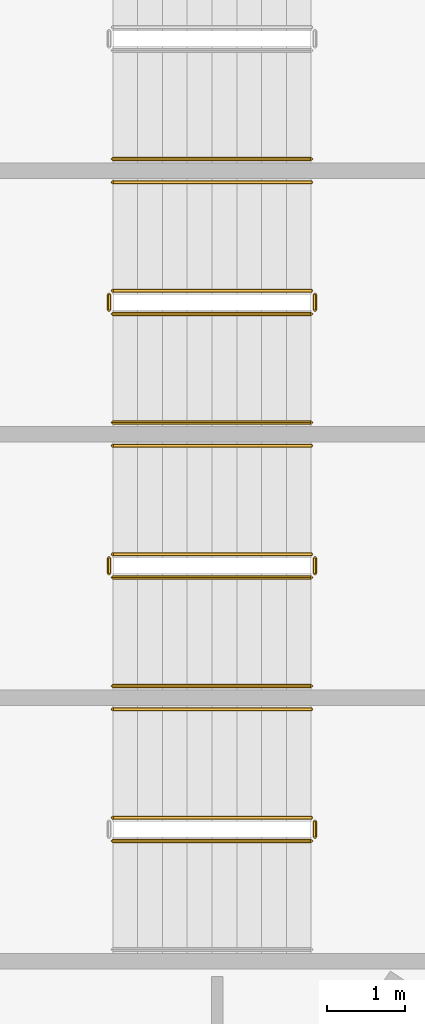
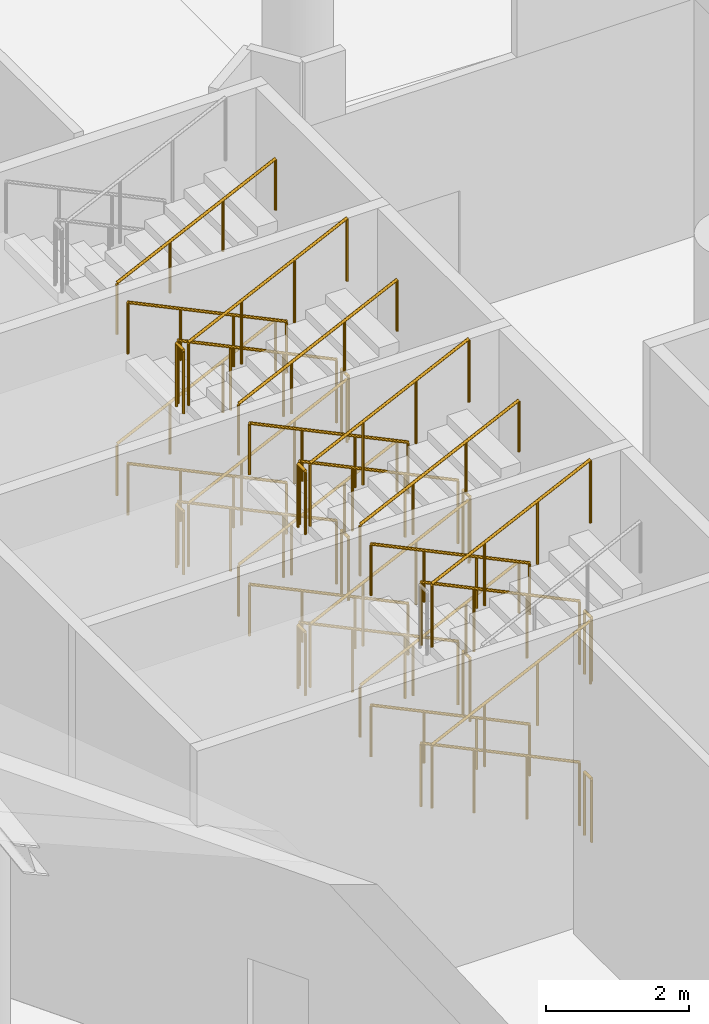
# One storey, part 235 of 271: 34 railings.
"""IFC4 building model written with IfcOpenShell, lengths in metres."""

from ifc_helpers import new_model, si_unit, direction, frame, origin, origin_2d, place, context, subcontext, project, spatial, circle, extrude, material, type_object, element, save


model = new_model("IFC4")

# Units and contexts
model_context = context("Model", 3, precision=1e-05, world=origin(), true_north=direction((0.0, 1.0)))
body_context = subcontext(model_context, "Body", "Model", "MODEL_VIEW")
ifc_project = project(units=[si_unit("LENGTHUNIT", "METRE"), si_unit("AREAUNIT", "SQUARE_METRE"), si_unit("VOLUMEUNIT", "CUBIC_METRE"), si_unit("PLANEANGLEUNIT", "RADIAN"), si_unit("MASSUNIT", "GRAM", prefix="KILO")], contexts=[model_context])

# Site, building, storey
site_placement = place(None, origin())
site = spatial("IfcSite", under=ifc_project, at=site_placement, CompositionType="ELEMENT")
building_placement = place(site_placement, origin())
building = spatial("IfcBuilding", under=site, at=building_placement, Name="Meseta Stadium", CompositionType="ELEMENT")
storey_placement = place(building_placement, frame((0.0, 0.0, 6.5)))
storey = spatial("IfcBuildingStorey", under=building, at=storey_placement, Name="L01", CompositionType="ELEMENT", Elevation=6.5)

# Railings
ifc_material_1 = material(Name="Steel S355", Category="steel")
railing_type_1 = type_object("IfcRailingType", Name="Stair guard 1100", PredefinedType="GUARDRAIL", material=ifc_material_1)
railing_1_placement = place(storey_placement, frame((-90.300048828125, 8.10009765625, 0.15283203125)))
element("IfcRailing", 1, at=railing_1_placement, inside=storey, type_object=railing_type_1, Name="ST66 L01 guard 1", PredefinedType="GUARDRAIL", context=body_context, shape_type="SweptSolid", body=[
    extrude(circle(Radius=0.02392578125, at=origin_2d()), frame((0.0, 0.0, 1.076171875), z_axis=(-0.902436934422, 0.0, 0.430821981091), x_axis=(0.0, -1.0, 0.0)), (0.0, 0.0, 1.0), 2.8369140625),
    extrude(circle(Radius=0.02099609375, at=origin_2d()), origin(), (0.0, 0.0, 1.0), 1.052001953125),
    extrude(circle(Radius=0.02099609375, at=origin_2d()), frame((-0.853271484375, 0.0, 0.407470703125)), (0.0, 0.0, 1.0), 1.052001953125),
    extrude(circle(Radius=0.02099609375, at=origin_2d()), frame((-1.706787109375, 0.0, 0.814697265625)), (0.0, 0.0, 1.0), 1.052001953125),
    extrude(circle(Radius=0.02099609375, at=origin_2d()), frame((-2.56005859375, 0.0, 1.22216796875)), (0.0, 0.0, 1.0), 1.052001953125),
])
railing_2_placement = place(storey_placement, frame((-92.909912109375, 8.050048828125, 1.375)))
element("IfcRailing", 2, at=railing_2_placement, inside=storey, type_object=railing_type_1, Name="ST66 L01 guard 2", PredefinedType="GUARDRAIL", context=body_context, shape_type="SweptSolid", body=[
    extrude(circle(Radius=0.02392578125, at=origin_2d()), frame((0.0, 0.0, 1.076171875), z_axis=(0.0, -1.0, 0.0), x_axis=(1.0, 0.0, 0.0)), (0.0, 0.0, 1.0), 0.199951171875),
    extrude(circle(Radius=0.02099609375, at=origin_2d()), origin(), (0.0, 0.0, 1.0), 1.052001953125),
    extrude(circle(Radius=0.02099609375, at=origin_2d()), frame((0.0, -0.199951171875, 0.0)), (0.0, 0.0, 1.0), 1.052001953125),
])
railing_3_placement = place(storey_placement, frame((-92.860107421875, 7.800048828125, 1.52783203125)))
element("IfcRailing", 3, at=railing_3_placement, inside=storey, type_object=railing_type_1, Name="ST66 L01 guard 3", PredefinedType="GUARDRAIL", context=body_context, shape_type="SweptSolid", body=[
    extrude(circle(Radius=0.02392578125, at=origin_2d()), frame((0.0, 0.0, 1.076171875), z_axis=(0.902436934422, 0.0, 0.430821981091), x_axis=(0.0, 1.0, 0.0)), (0.0, 0.0, 1.0), 2.8369140625),
    extrude(circle(Radius=0.02099609375, at=origin_2d()), origin(), (0.0, 0.0, 1.0), 1.052001953125),
    extrude(circle(Radius=0.02099609375, at=origin_2d()), frame((0.853271484375, 0.0, 0.407470703125)), (0.0, 0.0, 1.0), 1.052001953125),
    extrude(circle(Radius=0.02099609375, at=origin_2d()), frame((1.706787109375, 0.0, 0.814697265625)), (0.0, 0.0, 1.0), 1.052001953125),
    extrude(circle(Radius=0.02099609375, at=origin_2d()), frame((2.56005859375, 0.0, 1.22216796875)), (0.0, 0.0, 1.0), 1.052001953125),
])
railing_4_placement = place(storey_placement, frame((-90.25, 8.050048828125, 2.75)))
element("IfcRailing", 4, at=railing_4_placement, inside=storey, type_object=railing_type_1, Name="ST66 L01 guard 4", PredefinedType="GUARDRAIL", context=body_context, shape_type="SweptSolid", body=[
    extrude(circle(Radius=0.02392578125, at=origin_2d()), frame((0.0, 0.0, 1.076171875), z_axis=(0.0, -1.0, 0.0), x_axis=(1.0, 0.0, 0.0)), (0.0, 0.0, 1.0), 0.199951171875),
    extrude(circle(Radius=0.02099609375, at=origin_2d()), origin(), (0.0, 0.0, 1.0), 1.052001953125),
    extrude(circle(Radius=0.02099609375, at=origin_2d()), frame((0.0, -0.199951171875, 0.0)), (0.0, 0.0, 1.0), 1.052001953125),
])
railing_5_placement = place(storey_placement, frame((-90.300048828125, 8.10009765625, 2.90283203125)))
element("IfcRailing", 5, at=railing_5_placement, inside=storey, type_object=railing_type_1, Name="ST66 L01 guard 5", PredefinedType="GUARDRAIL", context=body_context, shape_type="SweptSolid", body=[
    extrude(circle(Radius=0.02392578125, at=origin_2d()), frame((0.0, 0.0, 1.076171875), z_axis=(-0.902436934422, 0.0, 0.430821981091), x_axis=(0.0, -1.0, 0.0)), (0.0, 0.0, 1.0), 2.8369140625),
    extrude(circle(Radius=0.02099609375, at=origin_2d()), origin(), (0.0, 0.0, 1.0), 1.052001953125),
    extrude(circle(Radius=0.02099609375, at=origin_2d()), frame((-0.853271484375, 0.0, 0.407470703125)), (0.0, 0.0, 1.0), 1.052001953125),
    extrude(circle(Radius=0.02099609375, at=origin_2d()), frame((-1.706787109375, 0.0, 0.814697265625)), (0.0, 0.0, 1.0), 1.052001953125),
    extrude(circle(Radius=0.02099609375, at=origin_2d()), frame((-2.56005859375, 0.0, 1.22216796875)), (0.0, 0.0, 1.0), 1.052001953125),
])
railing_6_placement = place(storey_placement, frame((-92.909912109375, 8.050048828125, 4.125)))
element("IfcRailing", 6, at=railing_6_placement, inside=storey, type_object=railing_type_1, Name="ST66 L01 guard 6", PredefinedType="GUARDRAIL", context=body_context, shape_type="SweptSolid", body=[
    extrude(circle(Radius=0.02392578125, at=origin_2d()), frame((0.0, 0.0, 1.076171875), z_axis=(0.0, -1.0, 0.0), x_axis=(1.0, 0.0, 0.0)), (0.0, 0.0, 1.0), 0.199951171875),
    extrude(circle(Radius=0.02099609375, at=origin_2d()), origin(), (0.0, 0.0, 1.0), 1.052001953125),
    extrude(circle(Radius=0.02099609375, at=origin_2d()), frame((0.0, -0.199951171875, 0.0)), (0.0, 0.0, 1.0), 1.052001953125),
])
railing_7_placement = place(storey_placement, frame((-92.860107421875, 7.800048828125, 4.27783203125)))
element("IfcRailing", 7, at=railing_7_placement, inside=storey, type_object=railing_type_1, Name="ST66 L01 guard 7", PredefinedType="GUARDRAIL", context=body_context, shape_type="SweptSolid", body=[
    extrude(circle(Radius=0.02392578125, at=origin_2d()), frame((0.0, 0.0, 1.076171875), z_axis=(0.902436934422, 0.0, 0.430821981091), x_axis=(0.0, 1.0, 0.0)), (0.0, 0.0, 1.0), 2.8369140625),
    extrude(circle(Radius=0.02099609375, at=origin_2d()), origin(), (0.0, 0.0, 1.0), 1.052001953125),
    extrude(circle(Radius=0.02099609375, at=origin_2d()), frame((0.853271484375, 0.0, 0.407470703125)), (0.0, 0.0, 1.0), 1.052001953125),
    extrude(circle(Radius=0.02099609375, at=origin_2d()), frame((1.706787109375, 0.0, 0.814697265625)), (0.0, 0.0, 1.0), 1.052001953125),
    extrude(circle(Radius=0.02099609375, at=origin_2d()), frame((2.56005859375, 0.0, 1.22216796875)), (0.0, 0.0, 1.0), 1.052001953125),
])
railing_8_placement = place(storey_placement, frame((-90.25, 8.050048828125, 0.0)))
element("IfcRailing", 8, at=railing_8_placement, inside=storey, type_object=railing_type_1, Name="ST66 L01 guard 8", PredefinedType="GUARDRAIL", context=body_context, shape_type="SweptSolid", body=[
    extrude(circle(Radius=0.02392578125, at=origin_2d()), frame((0.0, 0.0, 1.076171875), z_axis=(0.0, -1.0, 0.0), x_axis=(1.0, 0.0, 0.0)), (0.0, 0.0, 1.0), 0.199951171875),
    extrude(circle(Radius=0.02099609375, at=origin_2d()), origin(), (0.0, 0.0, 1.0), 1.052001953125),
    extrude(circle(Radius=0.02099609375, at=origin_2d()), frame((0.0, -0.199951171875, 0.0)), (0.0, 0.0, 1.0), 1.052001953125),
])
railing_9_placement = place(storey_placement, frame((-90.300048828125, 4.699951171875, 0.15283203125)))
element("IfcRailing", 9, at=railing_9_placement, inside=storey, type_object=railing_type_1, Name="ST67 L01 guard 1", PredefinedType="GUARDRAIL", context=body_context, shape_type="SweptSolid", body=[
    extrude(circle(Radius=0.02392578125, at=origin_2d()), frame((0.0, 0.0, 1.076171875), z_axis=(-0.902436934422, 0.0, 0.430821981091), x_axis=(0.0, -1.0, 0.0)), (0.0, 0.0, 1.0), 2.8369140625),
    extrude(circle(Radius=0.02099609375, at=origin_2d()), origin(), (0.0, 0.0, 1.0), 1.052001953125),
    extrude(circle(Radius=0.02099609375, at=origin_2d()), frame((-0.853271484375, 0.0, 0.407470703125)), (0.0, 0.0, 1.0), 1.052001953125),
    extrude(circle(Radius=0.02099609375, at=origin_2d()), frame((-1.706787109375, 0.0, 0.814697265625)), (0.0, 0.0, 1.0), 1.052001953125),
    extrude(circle(Radius=0.02099609375, at=origin_2d()), frame((-2.56005859375, 0.0, 1.22216796875)), (0.0, 0.0, 1.0), 1.052001953125),
])
railing_10_placement = place(storey_placement, frame((-92.909912109375, 4.64990234375, 1.375)))
element("IfcRailing", 10, at=railing_10_placement, inside=storey, type_object=railing_type_1, Name="ST67 L01 guard 2", PredefinedType="GUARDRAIL", context=body_context, shape_type="SweptSolid", body=[
    extrude(circle(Radius=0.02392578125, at=origin_2d()), frame((0.0, 0.0, 1.076171875), z_axis=(0.0, -1.0, 0.0), x_axis=(1.0, 0.0, 0.0)), (0.0, 0.0, 1.0), 0.199951171875),
    extrude(circle(Radius=0.02099609375, at=origin_2d()), origin(), (0.0, 0.0, 1.0), 1.052001953125),
    extrude(circle(Radius=0.02099609375, at=origin_2d()), frame((0.0, -0.199951171875, 0.0)), (0.0, 0.0, 1.0), 1.052001953125),
])
railing_11_placement = place(storey_placement, frame((-92.860107421875, 4.39990234375, 1.52783203125)))
element("IfcRailing", 11, at=railing_11_placement, inside=storey, type_object=railing_type_1, Name="ST67 L01 guard 3", PredefinedType="GUARDRAIL", context=body_context, shape_type="SweptSolid", body=[
    extrude(circle(Radius=0.02392578125, at=origin_2d()), frame((0.0, 0.0, 1.076171875), z_axis=(0.902436934422, 0.0, 0.430821981091), x_axis=(0.0, 1.0, 0.0)), (0.0, 0.0, 1.0), 2.8369140625),
    extrude(circle(Radius=0.02099609375, at=origin_2d()), origin(), (0.0, 0.0, 1.0), 1.052001953125),
    extrude(circle(Radius=0.02099609375, at=origin_2d()), frame((0.853271484375, 0.0, 0.407470703125)), (0.0, 0.0, 1.0), 1.052001953125),
    extrude(circle(Radius=0.02099609375, at=origin_2d()), frame((1.706787109375, 0.0, 0.814697265625)), (0.0, 0.0, 1.0), 1.052001953125),
    extrude(circle(Radius=0.02099609375, at=origin_2d()), frame((2.56005859375, 0.0, 1.22216796875)), (0.0, 0.0, 1.0), 1.052001953125),
])
railing_12_placement = place(storey_placement, frame((-90.25, 4.64990234375, 2.75)))
element("IfcRailing", 12, at=railing_12_placement, inside=storey, type_object=railing_type_1, Name="ST67 L01 guard 4", PredefinedType="GUARDRAIL", context=body_context, shape_type="SweptSolid", body=[
    extrude(circle(Radius=0.02392578125, at=origin_2d()), frame((0.0, 0.0, 1.076171875), z_axis=(0.0, -1.0, 0.0), x_axis=(1.0, 0.0, 0.0)), (0.0, 0.0, 1.0), 0.199951171875),
    extrude(circle(Radius=0.02099609375, at=origin_2d()), origin(), (0.0, 0.0, 1.0), 1.052001953125),
    extrude(circle(Radius=0.02099609375, at=origin_2d()), frame((0.0, -0.199951171875, 0.0)), (0.0, 0.0, 1.0), 1.052001953125),
])
railing_13_placement = place(storey_placement, frame((-90.300048828125, 4.699951171875, 2.90283203125)))
element("IfcRailing", 13, at=railing_13_placement, inside=storey, type_object=railing_type_1, Name="ST67 L01 guard 5", PredefinedType="GUARDRAIL", context=body_context, shape_type="SweptSolid", body=[
    extrude(circle(Radius=0.02392578125, at=origin_2d()), frame((0.0, 0.0, 1.076171875), z_axis=(-0.902436934422, 0.0, 0.430821981091), x_axis=(0.0, -1.0, 0.0)), (0.0, 0.0, 1.0), 2.8369140625),
    extrude(circle(Radius=0.02099609375, at=origin_2d()), origin(), (0.0, 0.0, 1.0), 1.052001953125),
    extrude(circle(Radius=0.02099609375, at=origin_2d()), frame((-0.853271484375, 0.0, 0.407470703125)), (0.0, 0.0, 1.0), 1.052001953125),
    extrude(circle(Radius=0.02099609375, at=origin_2d()), frame((-1.706787109375, 0.0, 0.814697265625)), (0.0, 0.0, 1.0), 1.052001953125),
    extrude(circle(Radius=0.02099609375, at=origin_2d()), frame((-2.56005859375, 0.0, 1.22216796875)), (0.0, 0.0, 1.0), 1.052001953125),
])
railing_14_placement = place(storey_placement, frame((-92.909912109375, 4.64990234375, 4.125)))
element("IfcRailing", 14, at=railing_14_placement, inside=storey, type_object=railing_type_1, Name="ST67 L01 guard 6", PredefinedType="GUARDRAIL", context=body_context, shape_type="SweptSolid", body=[
    extrude(circle(Radius=0.02392578125, at=origin_2d()), frame((0.0, 0.0, 1.076171875), z_axis=(0.0, -1.0, 0.0), x_axis=(1.0, 0.0, 0.0)), (0.0, 0.0, 1.0), 0.199951171875),
    extrude(circle(Radius=0.02099609375, at=origin_2d()), origin(), (0.0, 0.0, 1.0), 1.052001953125),
    extrude(circle(Radius=0.02099609375, at=origin_2d()), frame((0.0, -0.199951171875, 0.0)), (0.0, 0.0, 1.0), 1.052001953125),
])
railing_15_placement = place(storey_placement, frame((-92.860107421875, 4.39990234375, 4.27783203125)))
element("IfcRailing", 15, at=railing_15_placement, inside=storey, type_object=railing_type_1, Name="ST67 L01 guard 7", PredefinedType="GUARDRAIL", context=body_context, shape_type="SweptSolid", body=[
    extrude(circle(Radius=0.02392578125, at=origin_2d()), frame((0.0, 0.0, 1.076171875), z_axis=(0.902436934422, 0.0, 0.430821981091), x_axis=(0.0, 1.0, 0.0)), (0.0, 0.0, 1.0), 2.8369140625),
    extrude(circle(Radius=0.02099609375, at=origin_2d()), origin(), (0.0, 0.0, 1.0), 1.052001953125),
    extrude(circle(Radius=0.02099609375, at=origin_2d()), frame((0.853271484375, 0.0, 0.407470703125)), (0.0, 0.0, 1.0), 1.052001953125),
    extrude(circle(Radius=0.02099609375, at=origin_2d()), frame((1.706787109375, 0.0, 0.814697265625)), (0.0, 0.0, 1.0), 1.052001953125),
    extrude(circle(Radius=0.02099609375, at=origin_2d()), frame((2.56005859375, 0.0, 1.22216796875)), (0.0, 0.0, 1.0), 1.052001953125),
])
railing_16_placement = place(storey_placement, frame((-90.25, 4.64990234375, 0.0)))
element("IfcRailing", 16, at=railing_16_placement, inside=storey, type_object=railing_type_1, Name="ST67 L01 guard 8", PredefinedType="GUARDRAIL", context=body_context, shape_type="SweptSolid", body=[
    extrude(circle(Radius=0.02392578125, at=origin_2d()), frame((0.0, 0.0, 1.076171875), z_axis=(0.0, -1.0, 0.0), x_axis=(1.0, 0.0, 0.0)), (0.0, 0.0, 1.0), 0.199951171875),
    extrude(circle(Radius=0.02099609375, at=origin_2d()), origin(), (0.0, 0.0, 1.0), 1.052001953125),
    extrude(circle(Radius=0.02099609375, at=origin_2d()), frame((0.0, -0.199951171875, 0.0)), (0.0, 0.0, 1.0), 1.052001953125),
])
railing_17_placement = place(storey_placement, frame((-90.300048828125, 1.300048828125, 0.15283203125)))
element("IfcRailing", 17, at=railing_17_placement, inside=storey, type_object=railing_type_1, Name="ST68 L01 guard 1", PredefinedType="GUARDRAIL", context=body_context, shape_type="SweptSolid", body=[
    extrude(circle(Radius=0.02392578125, at=origin_2d()), frame((0.0, 0.0, 1.076171875), z_axis=(-0.902436934422, 0.0, 0.430821981091), x_axis=(0.0, -1.0, 0.0)), (0.0, 0.0, 1.0), 2.8369140625),
    extrude(circle(Radius=0.02099609375, at=origin_2d()), origin(), (0.0, 0.0, 1.0), 1.052001953125),
    extrude(circle(Radius=0.02099609375, at=origin_2d()), frame((-0.853271484375, 0.0, 0.407470703125)), (0.0, 0.0, 1.0), 1.052001953125),
    extrude(circle(Radius=0.02099609375, at=origin_2d()), frame((-1.706787109375, 0.0, 0.814697265625)), (0.0, 0.0, 1.0), 1.052001953125),
    extrude(circle(Radius=0.02099609375, at=origin_2d()), frame((-2.56005859375, 0.0, 1.22216796875)), (0.0, 0.0, 1.0), 1.052001953125),
])
railing_18_placement = place(storey_placement, frame((-92.860107421875, 1.0, 1.52783203125)))
element("IfcRailing", 18, at=railing_18_placement, inside=storey, type_object=railing_type_1, Name="ST68 L01 guard 3", PredefinedType="GUARDRAIL", context=body_context, shape_type="SweptSolid", body=[
    extrude(circle(Radius=0.02392578125, at=origin_2d()), frame((0.0, 0.0, 1.076171875), z_axis=(0.902436934422, 0.0, 0.430821981091), x_axis=(0.0, 1.0, 0.0)), (0.0, 0.0, 1.0), 2.8369140625),
    extrude(circle(Radius=0.02099609375, at=origin_2d()), origin(), (0.0, 0.0, 1.0), 1.052001953125),
    extrude(circle(Radius=0.02099609375, at=origin_2d()), frame((0.853271484375, 0.0, 0.407470703125)), (0.0, 0.0, 1.0), 1.052001953125),
    extrude(circle(Radius=0.02099609375, at=origin_2d()), frame((1.706787109375, 0.0, 0.814697265625)), (0.0, 0.0, 1.0), 1.052001953125),
    extrude(circle(Radius=0.02099609375, at=origin_2d()), frame((2.56005859375, 0.0, 1.22216796875)), (0.0, 0.0, 1.0), 1.052001953125),
])
railing_19_placement = place(storey_placement, frame((-90.25, 1.25, 2.75)))
element("IfcRailing", 19, at=railing_19_placement, inside=storey, type_object=railing_type_1, Name="ST68 L01 guard 4", PredefinedType="GUARDRAIL", context=body_context, shape_type="SweptSolid", body=[
    extrude(circle(Radius=0.02392578125, at=origin_2d()), frame((0.0, 0.0, 1.076171875), z_axis=(0.0, -1.0, 0.0), x_axis=(1.0, 0.0, 0.0)), (0.0, 0.0, 1.0), 0.199951171875),
    extrude(circle(Radius=0.02099609375, at=origin_2d()), origin(), (0.0, 0.0, 1.0), 1.052001953125),
    extrude(circle(Radius=0.02099609375, at=origin_2d()), frame((0.0, -0.199951171875, 0.0)), (0.0, 0.0, 1.0), 1.052001953125),
])
railing_20_placement = place(storey_placement, frame((-90.300048828125, 1.300048828125, 2.90283203125)))
element("IfcRailing", 20, at=railing_20_placement, inside=storey, type_object=railing_type_1, Name="ST68 L01 guard 5", PredefinedType="GUARDRAIL", context=body_context, shape_type="SweptSolid", body=[
    extrude(circle(Radius=0.02392578125, at=origin_2d()), frame((0.0, 0.0, 1.076171875), z_axis=(-0.902436934422, 0.0, 0.430821981091), x_axis=(0.0, -1.0, 0.0)), (0.0, 0.0, 1.0), 2.8369140625),
    extrude(circle(Radius=0.02099609375, at=origin_2d()), origin(), (0.0, 0.0, 1.0), 1.052001953125),
    extrude(circle(Radius=0.02099609375, at=origin_2d()), frame((-0.853271484375, 0.0, 0.407470703125)), (0.0, 0.0, 1.0), 1.052001953125),
    extrude(circle(Radius=0.02099609375, at=origin_2d()), frame((-1.706787109375, 0.0, 0.814697265625)), (0.0, 0.0, 1.0), 1.052001953125),
    extrude(circle(Radius=0.02099609375, at=origin_2d()), frame((-2.56005859375, 0.0, 1.22216796875)), (0.0, 0.0, 1.0), 1.052001953125),
])
railing_21_placement = place(storey_placement, frame((-92.860107421875, 1.0, 4.27783203125)))
element("IfcRailing", 21, at=railing_21_placement, inside=storey, type_object=railing_type_1, Name="ST68 L01 guard 7", PredefinedType="GUARDRAIL", context=body_context, shape_type="SweptSolid", body=[
    extrude(circle(Radius=0.02392578125, at=origin_2d()), frame((0.0, 0.0, 1.076171875), z_axis=(0.902436934422, 0.0, 0.430821981091), x_axis=(0.0, 1.0, 0.0)), (0.0, 0.0, 1.0), 2.8369140625),
    extrude(circle(Radius=0.02099609375, at=origin_2d()), origin(), (0.0, 0.0, 1.0), 1.052001953125),
    extrude(circle(Radius=0.02099609375, at=origin_2d()), frame((0.853271484375, 0.0, 0.407470703125)), (0.0, 0.0, 1.0), 1.052001953125),
    extrude(circle(Radius=0.02099609375, at=origin_2d()), frame((1.706787109375, 0.0, 0.814697265625)), (0.0, 0.0, 1.0), 1.052001953125),
    extrude(circle(Radius=0.02099609375, at=origin_2d()), frame((2.56005859375, 0.0, 1.22216796875)), (0.0, 0.0, 1.0), 1.052001953125),
])
railing_22_placement = place(storey_placement, frame((-90.25, 1.25, 0.0)))
element("IfcRailing", 22, at=railing_22_placement, inside=storey, type_object=railing_type_1, Name="ST68 L01 guard 8", PredefinedType="GUARDRAIL", context=body_context, shape_type="SweptSolid", body=[
    extrude(circle(Radius=0.02392578125, at=origin_2d()), frame((0.0, 0.0, 1.076171875), z_axis=(0.0, -1.0, 0.0), x_axis=(1.0, 0.0, 0.0)), (0.0, 0.0, 1.0), 0.199951171875),
    extrude(circle(Radius=0.02099609375, at=origin_2d()), origin(), (0.0, 0.0, 1.0), 1.052001953125),
    extrude(circle(Radius=0.02099609375, at=origin_2d()), frame((0.0, -0.199951171875, 0.0)), (0.0, 0.0, 1.0), 1.052001953125),
])
ifc_material_2 = material(Name="Steel S355", Category="steel")
railing_type_2 = type_object("IfcRailingType", Name="Stair handrail 900", PredefinedType="HANDRAIL", material=ifc_material_2)
for number, where, name in (
    (23, (-92.860107421875, 9.800048828125, 1.52783203125), "ST65 L01 handrail 2"),
    (24, (-92.860107421875, 9.800048828125, 4.27783203125), "ST65 L01 handrail 4"),
):
    element("IfcRailing", number, at=place(storey_placement, frame(where)), inside=storey, type_object=railing_type_2, Name=name, PredefinedType="HANDRAIL", context=body_context, shape_type="SweptSolid", body=[
        extrude(circle(Radius=0.02392578125, at=origin_2d()), frame((0.0, 0.0, 0.8759765625), z_axis=(0.902436934422, 0.0, 0.430821981091), x_axis=(0.0, 1.0, 0.0)), (0.0, 0.0, 1.0), 2.8369140625),
        extrude(circle(Radius=0.02099609375, at=origin_2d()), origin(), (0.0, 0.0, 1.0), 0.851806640625),
        extrude(circle(Radius=0.02099609375, at=origin_2d()), frame((0.853271484375, 0.0, 0.407470703125)), (0.0, 0.0, 1.0), 0.851806640625),
        extrude(circle(Radius=0.02099609375, at=origin_2d()), frame((1.706787109375, 0.0, 0.814697265625)), (0.0, 0.0, 1.0), 0.851806640625),
        extrude(circle(Radius=0.02099609375, at=origin_2d()), frame((2.56005859375, 0.0, 1.22216796875)), (0.0, 0.0, 1.0), 0.851806640625),
    ])
railing_23_placement = place(storey_placement, frame((-90.300048828125, 9.5, 0.15283203125)))
element("IfcRailing", 25, at=railing_23_placement, inside=storey, type_object=railing_type_2, Name="ST66 L01 handrail 1", PredefinedType="HANDRAIL", context=body_context, shape_type="SweptSolid", body=[
    extrude(circle(Radius=0.02392578125, at=origin_2d()), frame((0.0, 0.0, 0.8759765625), z_axis=(-0.902436934422, 0.0, 0.430821981091), x_axis=(0.0, -1.0, 0.0)), (0.0, 0.0, 1.0), 2.8369140625),
    extrude(circle(Radius=0.02099609375, at=origin_2d()), origin(), (0.0, 0.0, 1.0), 0.851806640625),
    extrude(circle(Radius=0.02099609375, at=origin_2d()), frame((-0.853271484375, 0.0, 0.407470703125)), (0.0, 0.0, 1.0), 0.851806640625),
    extrude(circle(Radius=0.02099609375, at=origin_2d()), frame((-1.706787109375, 0.0, 0.814697265625)), (0.0, 0.0, 1.0), 0.851806640625),
    extrude(circle(Radius=0.02099609375, at=origin_2d()), frame((-2.56005859375, 0.0, 1.22216796875)), (0.0, 0.0, 1.0), 0.851806640625),
])
railing_24_placement = place(storey_placement, frame((-92.860107421875, 6.39990234375, 1.52783203125)))
element("IfcRailing", 26, at=railing_24_placement, inside=storey, type_object=railing_type_2, Name="ST66 L01 handrail 2", PredefinedType="HANDRAIL", context=body_context, shape_type="SweptSolid", body=[
    extrude(circle(Radius=0.02392578125, at=origin_2d()), frame((0.0, 0.0, 0.8759765625), z_axis=(0.902436934422, 0.0, 0.430821981091), x_axis=(0.0, 1.0, 0.0)), (0.0, 0.0, 1.0), 2.8369140625),
    extrude(circle(Radius=0.02099609375, at=origin_2d()), origin(), (0.0, 0.0, 1.0), 0.851806640625),
    extrude(circle(Radius=0.02099609375, at=origin_2d()), frame((0.853271484375, 0.0, 0.407470703125)), (0.0, 0.0, 1.0), 0.851806640625),
    extrude(circle(Radius=0.02099609375, at=origin_2d()), frame((1.706787109375, 0.0, 0.814697265625)), (0.0, 0.0, 1.0), 0.851806640625),
    extrude(circle(Radius=0.02099609375, at=origin_2d()), frame((2.56005859375, 0.0, 1.22216796875)), (0.0, 0.0, 1.0), 0.851806640625),
])
railing_25_placement = place(storey_placement, frame((-90.300048828125, 9.5, 2.90283203125)))
element("IfcRailing", 27, at=railing_25_placement, inside=storey, type_object=railing_type_2, Name="ST66 L01 handrail 3", PredefinedType="HANDRAIL", context=body_context, shape_type="SweptSolid", body=[
    extrude(circle(Radius=0.02392578125, at=origin_2d()), frame((0.0, 0.0, 0.8759765625), z_axis=(-0.902436934422, 0.0, 0.430821981091), x_axis=(0.0, -1.0, 0.0)), (0.0, 0.0, 1.0), 2.8369140625),
    extrude(circle(Radius=0.02099609375, at=origin_2d()), origin(), (0.0, 0.0, 1.0), 0.851806640625),
    extrude(circle(Radius=0.02099609375, at=origin_2d()), frame((-0.853271484375, 0.0, 0.407470703125)), (0.0, 0.0, 1.0), 0.851806640625),
    extrude(circle(Radius=0.02099609375, at=origin_2d()), frame((-1.706787109375, 0.0, 0.814697265625)), (0.0, 0.0, 1.0), 0.851806640625),
    extrude(circle(Radius=0.02099609375, at=origin_2d()), frame((-2.56005859375, 0.0, 1.22216796875)), (0.0, 0.0, 1.0), 0.851806640625),
])
railing_26_placement = place(storey_placement, frame((-92.860107421875, 6.39990234375, 4.27783203125)))
element("IfcRailing", 28, at=railing_26_placement, inside=storey, type_object=railing_type_2, Name="ST66 L01 handrail 4", PredefinedType="HANDRAIL", context=body_context, shape_type="SweptSolid", body=[
    extrude(circle(Radius=0.02392578125, at=origin_2d()), frame((0.0, 0.0, 0.8759765625), z_axis=(0.902436934422, 0.0, 0.430821981091), x_axis=(0.0, 1.0, 0.0)), (0.0, 0.0, 1.0), 2.8369140625),
    extrude(circle(Radius=0.02099609375, at=origin_2d()), origin(), (0.0, 0.0, 1.0), 0.851806640625),
    extrude(circle(Radius=0.02099609375, at=origin_2d()), frame((0.853271484375, 0.0, 0.407470703125)), (0.0, 0.0, 1.0), 0.851806640625),
    extrude(circle(Radius=0.02099609375, at=origin_2d()), frame((1.706787109375, 0.0, 0.814697265625)), (0.0, 0.0, 1.0), 0.851806640625),
    extrude(circle(Radius=0.02099609375, at=origin_2d()), frame((2.56005859375, 0.0, 1.22216796875)), (0.0, 0.0, 1.0), 0.851806640625),
])
railing_27_placement = place(storey_placement, frame((-90.300048828125, 6.10009765625, 0.15283203125)))
element("IfcRailing", 29, at=railing_27_placement, inside=storey, type_object=railing_type_2, Name="ST67 L01 handrail 1", PredefinedType="HANDRAIL", context=body_context, shape_type="SweptSolid", body=[
    extrude(circle(Radius=0.02392578125, at=origin_2d()), frame((0.0, 0.0, 0.8759765625), z_axis=(-0.902436934422, 0.0, 0.430821981091), x_axis=(0.0, -1.0, 0.0)), (0.0, 0.0, 1.0), 2.8369140625),
    extrude(circle(Radius=0.02099609375, at=origin_2d()), origin(), (0.0, 0.0, 1.0), 0.851806640625),
    extrude(circle(Radius=0.02099609375, at=origin_2d()), frame((-0.853271484375, 0.0, 0.407470703125)), (0.0, 0.0, 1.0), 0.851806640625),
    extrude(circle(Radius=0.02099609375, at=origin_2d()), frame((-1.706787109375, 0.0, 0.814697265625)), (0.0, 0.0, 1.0), 0.851806640625),
    extrude(circle(Radius=0.02099609375, at=origin_2d()), frame((-2.56005859375, 0.0, 1.22216796875)), (0.0, 0.0, 1.0), 0.851806640625),
])
railing_28_placement = place(storey_placement, frame((-92.860107421875, 3.0, 1.52783203125)))
element("IfcRailing", 30, at=railing_28_placement, inside=storey, type_object=railing_type_2, Name="ST67 L01 handrail 2", PredefinedType="HANDRAIL", context=body_context, shape_type="SweptSolid", body=[
    extrude(circle(Radius=0.02392578125, at=origin_2d()), frame((0.0, 0.0, 0.8759765625), z_axis=(0.902436934422, 0.0, 0.430821981091), x_axis=(0.0, 1.0, 0.0)), (0.0, 0.0, 1.0), 2.8369140625),
    extrude(circle(Radius=0.02099609375, at=origin_2d()), origin(), (0.0, 0.0, 1.0), 0.851806640625),
    extrude(circle(Radius=0.02099609375, at=origin_2d()), frame((0.853271484375, 0.0, 0.407470703125)), (0.0, 0.0, 1.0), 0.851806640625),
    extrude(circle(Radius=0.02099609375, at=origin_2d()), frame((1.706787109375, 0.0, 0.814697265625)), (0.0, 0.0, 1.0), 0.851806640625),
    extrude(circle(Radius=0.02099609375, at=origin_2d()), frame((2.56005859375, 0.0, 1.22216796875)), (0.0, 0.0, 1.0), 0.851806640625),
])
railing_29_placement = place(storey_placement, frame((-90.300048828125, 6.10009765625, 2.90283203125)))
element("IfcRailing", 31, at=railing_29_placement, inside=storey, type_object=railing_type_2, Name="ST67 L01 handrail 3", PredefinedType="HANDRAIL", context=body_context, shape_type="SweptSolid", body=[
    extrude(circle(Radius=0.02392578125, at=origin_2d()), frame((0.0, 0.0, 0.8759765625), z_axis=(-0.902436934422, 0.0, 0.430821981091), x_axis=(0.0, -1.0, 0.0)), (0.0, 0.0, 1.0), 2.8369140625),
    extrude(circle(Radius=0.02099609375, at=origin_2d()), origin(), (0.0, 0.0, 1.0), 0.851806640625),
    extrude(circle(Radius=0.02099609375, at=origin_2d()), frame((-0.853271484375, 0.0, 0.407470703125)), (0.0, 0.0, 1.0), 0.851806640625),
    extrude(circle(Radius=0.02099609375, at=origin_2d()), frame((-1.706787109375, 0.0, 0.814697265625)), (0.0, 0.0, 1.0), 0.851806640625),
    extrude(circle(Radius=0.02099609375, at=origin_2d()), frame((-2.56005859375, 0.0, 1.22216796875)), (0.0, 0.0, 1.0), 0.851806640625),
])
railing_30_placement = place(storey_placement, frame((-92.860107421875, 3.0, 4.27783203125)))
element("IfcRailing", 32, at=railing_30_placement, inside=storey, type_object=railing_type_2, Name="ST67 L01 handrail 4", PredefinedType="HANDRAIL", context=body_context, shape_type="SweptSolid", body=[
    extrude(circle(Radius=0.02392578125, at=origin_2d()), frame((0.0, 0.0, 0.8759765625), z_axis=(0.902436934422, 0.0, 0.430821981091), x_axis=(0.0, 1.0, 0.0)), (0.0, 0.0, 1.0), 2.8369140625),
    extrude(circle(Radius=0.02099609375, at=origin_2d()), origin(), (0.0, 0.0, 1.0), 0.851806640625),
    extrude(circle(Radius=0.02099609375, at=origin_2d()), frame((0.853271484375, 0.0, 0.407470703125)), (0.0, 0.0, 1.0), 0.851806640625),
    extrude(circle(Radius=0.02099609375, at=origin_2d()), frame((1.706787109375, 0.0, 0.814697265625)), (0.0, 0.0, 1.0), 0.851806640625),
    extrude(circle(Radius=0.02099609375, at=origin_2d()), frame((2.56005859375, 0.0, 1.22216796875)), (0.0, 0.0, 1.0), 0.851806640625),
])
for number, where, name in (
    (33, (-90.300048828125, 2.699951171875, 0.15283203125), "ST68 L01 handrail 1"),
    (34, (-90.300048828125, 2.699951171875, 2.90283203125), "ST68 L01 handrail 3"),
):
    element("IfcRailing", number, at=place(storey_placement, frame(where)), inside=storey, type_object=railing_type_2, Name=name, PredefinedType="HANDRAIL", context=body_context, shape_type="SweptSolid", body=[
        extrude(circle(Radius=0.02392578125, at=origin_2d()), frame((0.0, 0.0, 0.8759765625), z_axis=(-0.902436934422, 0.0, 0.430821981091), x_axis=(0.0, -1.0, 0.0)), (0.0, 0.0, 1.0), 2.8369140625),
        extrude(circle(Radius=0.02099609375, at=origin_2d()), origin(), (0.0, 0.0, 1.0), 0.851806640625),
        extrude(circle(Radius=0.02099609375, at=origin_2d()), frame((-0.853271484375, 0.0, 0.407470703125)), (0.0, 0.0, 1.0), 0.851806640625),
        extrude(circle(Radius=0.02099609375, at=origin_2d()), frame((-1.706787109375, 0.0, 0.814697265625)), (0.0, 0.0, 1.0), 0.851806640625),
        extrude(circle(Radius=0.02099609375, at=origin_2d()), frame((-2.56005859375, 0.0, 1.22216796875)), (0.0, 0.0, 1.0), 0.851806640625),
    ])

save(model, "model.ifc")
